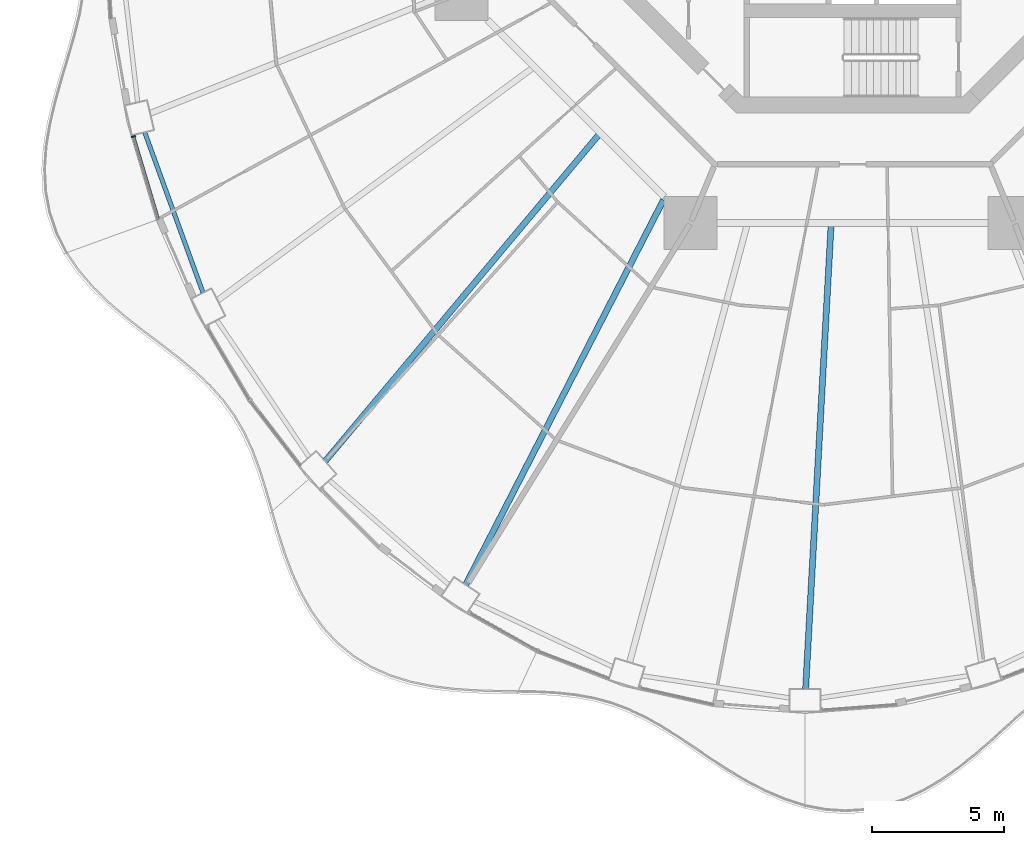
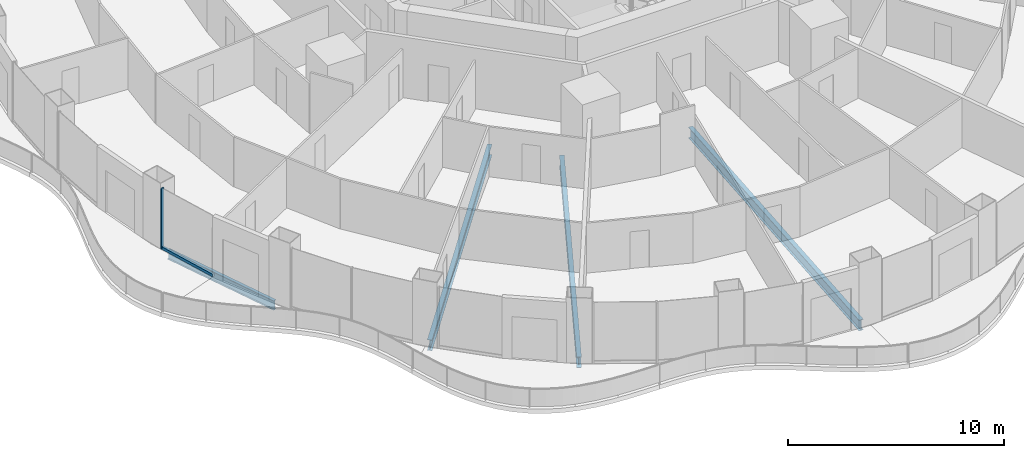
# One storey, part 3 of 21: 4 beams, 2 members, 1 element without a shape of its own.
"""IFC4 building model written with IfcOpenShell, lengths in metres."""

from ifc_helpers import new_model, si_unit, direction, frame, origin, origin_2d, place, context, subcontext, project, spatial, rectangle, i_section, extrude, material, layer, layer_set, material_profile, profile_set, type_object, element, aggregate, save


model = new_model("IFC4")

# Units and contexts
model_context = context("Model", 3, precision=1e-05, world=origin(), true_north=direction((0.0, 1.0)))
body_context = subcontext(model_context, "Body", "Model", "MODEL_VIEW")
ifc_project = project(units=[si_unit("LENGTHUNIT", "METRE"), si_unit("AREAUNIT", "SQUARE_METRE"), si_unit("VOLUMEUNIT", "CUBIC_METRE"), si_unit("PLANEANGLEUNIT", "RADIAN"), si_unit("MASSUNIT", "GRAM", prefix="KILO")], contexts=[model_context])

# Site, building, storey
site_placement = place(None, origin())
site = spatial("IfcSite", under=ifc_project, at=site_placement, CompositionType="ELEMENT")
building_placement = place(site_placement, origin())
building = spatial("IfcBuilding", under=site, at=building_placement, Name="Nagisa Residences", CompositionType="ELEMENT")
storey_placement = place(building_placement, frame((0.0, 0.0, 134.39990234375)))
storey = spatial("IfcBuildingStorey", under=building, at=storey_placement, Name="L33", CompositionType="ELEMENT", Elevation=134.39990234375)

# Curtain wall, members
ifc_material_1 = material(Name="Concrete-coloured aluminium curtain wall system", Category="concrete")
ifc_layer = layer(ifc_material_1, 0.159912109375)
ifc_layer_set = layer_set([ifc_layer], Name="CW1 CURTAIN WALL")
curtain_wall_type = type_object("IfcCurtainWallType", Name="CW1 CURTAIN WALL", PredefinedType="NOTDEFINED", material=ifc_layer_set)
curtain_wall_placement = place(storey_placement, origin())
curtain_wall = element("IfcCurtainWall", 1, at=curtain_wall_placement, inside=storey, type_object=curtain_wall_type, Name="cw:CW1:L33:26", PredefinedType="NOTDEFINED")
ifc_material_2 = material(Name="Concrete-coloured aluminium", Category="concrete")
ifc_material_profile_1 = material_profile(ifc_material_2, rectangle(XDim=0.159912109375, YDim=0.06005859375, at=origin_2d()), Name="CW1 MULLION 160x60")
ifc_profile_set_1 = profile_set([ifc_material_profile_1], Name="Concrete-coloured aluminium")
member_type_1 = type_object("IfcMemberType", Name="CW1 MULLION 160x60", PredefinedType="MULLION", material=ifc_profile_set_1)
member_1_placement = place(storey_placement, frame((-27.174072265625, -11.513671875, 0.0), z_axis=(0.0, 0.0, 1.0), x_axis=(0.958271310082, 0.285860274038, 0.0)))
member_1 = element("IfcMember", 2, at=member_1_placement, type_object=member_type_1, Name="CW1 mullion", PredefinedType="MULLION", context=body_context, shape_type="SweptSolid", body=[
    extrude(rectangle(XDim=0.159912109375, YDim=0.06005859375, at=origin_2d()), origin(), (0.0, 0.0, 1.0), 3.440185546875),
])
ifc_material_3 = material(Name="Concrete-coloured aluminium", Category="concrete")
ifc_material_profile_2 = material_profile(ifc_material_3, rectangle(XDim=0.1201171875, YDim=0.14990234375, at=origin_2d()), Name="CW1 TRANSOM 120x150")
ifc_profile_set_2 = profile_set([ifc_material_profile_2], Name="Concrete-coloured aluminium")
member_type_2 = type_object("IfcMemberType", Name="CW1 TRANSOM 120x150", PredefinedType="USERDEFINED", material=ifc_profile_set_2)
member_2_placement = place(storey_placement, frame((-27.1826171875, -11.48486328125, 0.0751953125), z_axis=(0.285842038783, -0.958276749621, 0.0), x_axis=(0.958276749621, 0.285842038783, 0.0)))
member_2 = element("IfcMember", 3, at=member_2_placement, type_object=member_type_2, Name="CW1 transom", ObjectType="TRANSOM", PredefinedType="USERDEFINED", context=body_context, shape_type="SweptSolid", body=[
    extrude(rectangle(XDim=0.1201171875, YDim=0.14990234375, at=origin_2d()), origin(), (0.0, 0.0, 1.0), 3.302734375),
])
aggregate(curtain_wall, [member_1, member_2])

# Beams
ifc_material_4 = material(Name="Steel ASTM A572 Gr 50", Category="steel")
ifc_material_profile_3 = material_profile(ifc_material_4, i_section(OverallWidth=0.166015625, OverallDepth=0.534912109375, WebThickness=0.01025390625, FlangeThickness=0.0166015625, at=origin_2d()), Name="W530x85")
ifc_profile_set_3 = profile_set([ifc_material_profile_3], Name="Steel ASTM A572 Gr 50")
beam_type_1 = type_object("IfcBeamType", Name="Perimeter ring beam W530x85", PredefinedType="BEAM", material=ifc_profile_set_3)
beam_1_placement = place(storey_placement, frame((-26.74853515625, -11.352294921875, -0.52734375), z_axis=(0.341366238276, -0.939930365168, 0.0), x_axis=(0.939930365168, 0.341366238276, 0.0)))
element("IfcBeam", 4, at=beam_1_placement, inside=storey, type_object=beam_type_1, Name="beam:L33:pb14", PredefinedType="BEAM", context=body_context, shape_type="SweptSolid", body=[
    extrude(i_section(OverallWidth=0.166015625, OverallDepth=0.534912109375, WebThickness=0.01025390625, FlangeThickness=0.0166015625, at=origin_2d()), origin(), (0.0, 0.0, 1.0), 6.450927734375),
])
ifc_material_5 = material(Name="Steel ASTM A572 Gr 50", Category="steel")
ifc_material_profile_4 = material_profile(ifc_material_5, i_section(OverallWidth=0.22900390625, OverallDepth=0.612060546875, WebThickness=0.011962890625, FlangeThickness=0.01953125, at=origin_2d()), Name="W610x125")
ifc_profile_set_4 = profile_set([ifc_material_profile_4], Name="Steel ASTM A572 Gr 50")
beam_type_2 = type_object("IfcBeamType", Name="Radial beam W610x125", PredefinedType="BEAM", material=ifc_profile_set_4)
beam_2_placement = place(storey_placement, frame((-19.929931640625, -23.78173828125, -0.56591796875), z_axis=(0.642300860107, 0.766452611128, 0.0), x_axis=(-0.766452611128, 0.642300860107, 0.0)))
element("IfcBeam", 5, at=beam_2_placement, inside=storey, type_object=beam_type_2, Name="beam:L33:rb16", PredefinedType="BEAM", context=body_context, shape_type="SweptSolid", body=[
    extrude(i_section(OverallWidth=0.22900390625, OverallDepth=0.612060546875, WebThickness=0.011962890625, FlangeThickness=0.01953125, at=origin_2d()), origin(), (0.0, 0.0, 1.0), 16.081787109375),
])
beam_3_placement = place(storey_placement, frame((-14.619873046875, -28.449462890625, -0.56591796875), z_axis=(0.457072968779, 0.889429199662, 0.0), x_axis=(-0.889429199662, 0.457072968779, 0.0)))
element("IfcBeam", 6, at=beam_3_placement, inside=storey, type_object=beam_type_2, Name="beam:L33:rb17", PredefinedType="BEAM", context=body_context, shape_type="SweptSolid", body=[
    extrude(i_section(OverallWidth=0.22900390625, OverallDepth=0.612060546875, WebThickness=0.011962890625, FlangeThickness=0.01953125, at=origin_2d()), origin(), (0.0, 0.0, 1.0), 16.347412109375),
])
beam_4_placement = place(storey_placement, frame((-1.7763671875, -32.382568359375, -0.56591796875), z_axis=(0.054779249477, 0.998498489647, 0.0), x_axis=(-0.998498489647, 0.054779249477, 0.0)))
element("IfcBeam", 7, at=beam_4_placement, inside=storey, type_object=beam_type_2, Name="beam:L33:rb19", PredefinedType="BEAM", context=body_context, shape_type="SweptSolid", body=[
    extrude(i_section(OverallWidth=0.22900390625, OverallDepth=0.612060546875, WebThickness=0.011962890625, FlangeThickness=0.01953125, at=origin_2d()), origin(), (0.0, 0.0, 1.0), 17.519775390625),
])

save(model, "model.ifc")
